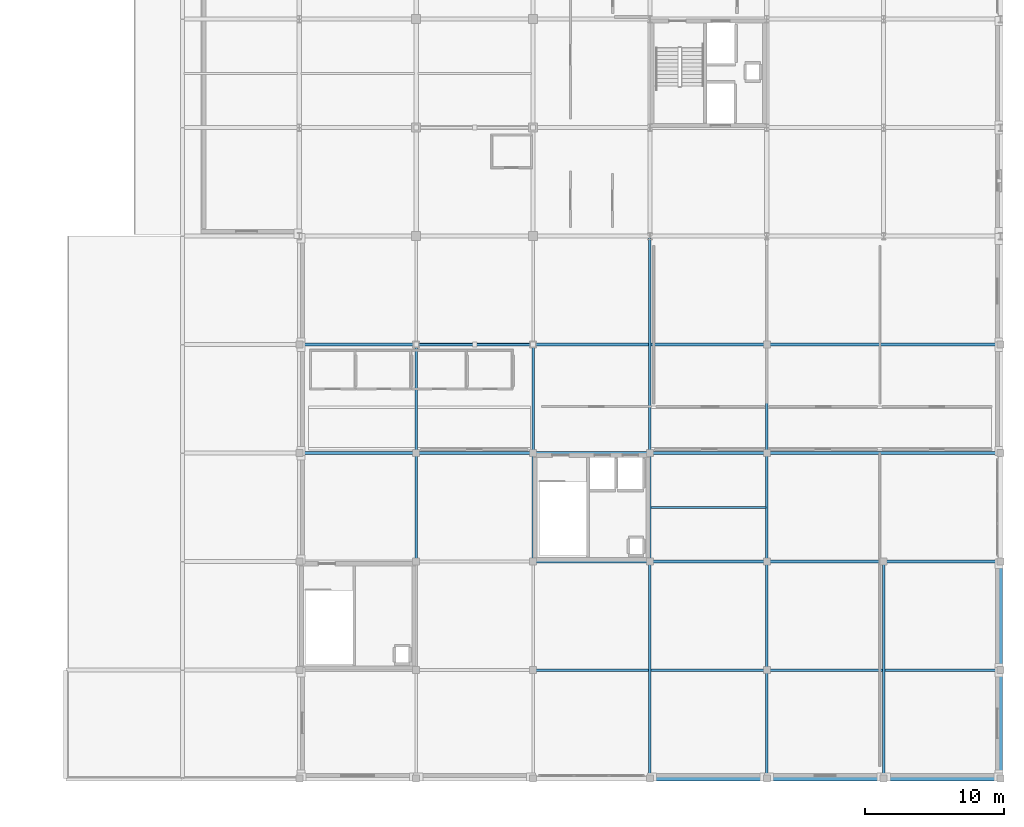
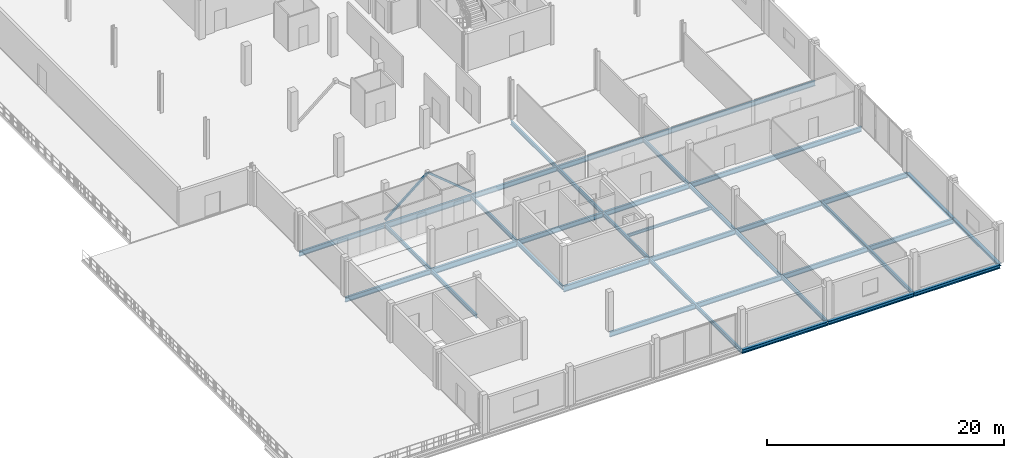
# One storey, part 11 of 41: 33 beams, 2 members.
"""IFC4 building model written with IfcOpenShell, lengths in metres."""

from ifc_helpers import new_model, si_unit, direction, frame, origin, origin_2d, place, context, subcontext, project, spatial, hollow_rectangle, i_section, extrude, material, material_profile, profile_set, type_object, element, save


model = new_model("IFC4")

# Units and contexts
model_context = context("Model", 3, precision=1e-05, world=origin(), true_north=direction((0.0, 1.0)))
body_context = subcontext(model_context, "Body", "Model", "MODEL_VIEW")
ifc_project = project(units=[si_unit("LENGTHUNIT", "METRE"), si_unit("AREAUNIT", "SQUARE_METRE"), si_unit("VOLUMEUNIT", "CUBIC_METRE"), si_unit("PLANEANGLEUNIT", "RADIAN"), si_unit("MASSUNIT", "GRAM", prefix="KILO")], contexts=[model_context])

# Site, building, storey
site_placement = place(None, origin())
site = spatial("IfcSite", under=ifc_project, at=site_placement, CompositionType="ELEMENT")
building_placement = place(site_placement, origin())
building = spatial("IfcBuilding", under=site, at=building_placement, Name="Nabrawat Pavilion Hospital", CompositionType="ELEMENT")
storey_placement = place(building_placement, frame((0.0, 0.0, 18.89990234375)))
storey = spatial("IfcBuildingStorey", under=building, at=storey_placement, Name="L04", CompositionType="ELEMENT", Elevation=18.89990234375)

# Beams
ifc_material = material(Name="Steel S355", Category="steel")
ifc_material_profile_1 = material_profile(ifc_material, i_section(OverallWidth=0.300048828125, OverallDepth=0.389892578125, WebThickness=0.010986328125, FlangeThickness=0.01904296875, FilletRadius=0.027099609375, at=origin_2d()), Name="HEA 400")
ifc_profile_set_1 = profile_set([ifc_material_profile_1], Name="Steel S355")
beam_type_1 = type_object("IfcBeamType", Name="Perimeter Moment Spandrel Beam HEA 400", PredefinedType="SPANDREL", material=ifc_profile_set_1)
beam_1_placement = place(storey_placement, frame((168.02001953125, 0.0, -0.4248046875), z_axis=(1.0, 0.0, 0.0), x_axis=(0.0, 1.0, 0.0)))
element("IfcBeam", 1, at=beam_1_placement, inside=storey, type_object=beam_type_1, Name="L04 Primary X Girder 1758", PredefinedType="SPANDREL", context=body_context, shape_type="SweptSolid", body=[
    extrude(i_section(OverallWidth=0.300048828125, OverallDepth=0.389892578125, WebThickness=0.010986328125, FlangeThickness=0.01904296875, FilletRadius=0.027099609375, at=origin_2d()), origin(), (0.0, 0.0, 1.0), 8.35986328125),
])
beam_2_placement = place(storey_placement, frame((176.419921875, 0.0, -0.4248046875), z_axis=(1.0, 0.0, 0.0), x_axis=(0.0, 1.0, 0.0)))
element("IfcBeam", 2, at=beam_2_placement, inside=storey, type_object=beam_type_1, Name="L04 Primary X Girder 1759", PredefinedType="SPANDREL", context=body_context, shape_type="SweptSolid", body=[
    extrude(i_section(OverallWidth=0.300048828125, OverallDepth=0.389892578125, WebThickness=0.010986328125, FlangeThickness=0.01904296875, FilletRadius=0.027099609375, at=origin_2d()), origin(), (0.0, 0.0, 1.0), 8.360107421875),
])
beam_3_placement = place(storey_placement, frame((184.820068359375, 0.0, -0.4248046875), z_axis=(1.0, 0.0, 0.0), x_axis=(0.0, 1.0, 0.0)))
element("IfcBeam", 3, at=beam_3_placement, inside=storey, type_object=beam_type_1, Name="L04 Primary X Girder 1760", PredefinedType="SPANDREL", context=body_context, shape_type="SweptSolid", body=[
    extrude(i_section(OverallWidth=0.300048828125, OverallDepth=0.389892578125, WebThickness=0.010986328125, FlangeThickness=0.01904296875, FilletRadius=0.027099609375, at=origin_2d()), origin(), (0.0, 0.0, 1.0), 8.35986328125),
])
ifc_material_profile_2 = material_profile(ifc_material, i_section(OverallWidth=0.199951171875, OverallDepth=0.5, WebThickness=0.01025390625, FlangeThickness=0.01611328125, FilletRadius=0.02099609375, at=origin_2d()), Name="IPE 500")
ifc_profile_set_2 = profile_set([ifc_material_profile_2], Name="Steel S355")
beam_type_2 = type_object("IfcBeamType", Name="Standard X Floor Girder IPE 500", PredefinedType="USERDEFINED", material=ifc_profile_set_2)
beam_4_placement = place(storey_placement, frame((159.6201171875, 7.800048828125, -0.47998046875), z_axis=(1.0, 0.0, 0.0), x_axis=(0.0, 1.0, 0.0)))
element("IfcBeam", 4, at=beam_4_placement, inside=storey, type_object=beam_type_2, Name="L04 Primary X Girder 1765", ObjectType="GIRDER", PredefinedType="USERDEFINED", context=body_context, shape_type="SweptSolid", body=[
    extrude(i_section(OverallWidth=0.199951171875, OverallDepth=0.5, WebThickness=0.01025390625, FlangeThickness=0.01611328125, FilletRadius=0.02099609375, at=origin_2d()), origin(), (0.0, 0.0, 1.0), 16.759765625),
])
beam_5_placement = place(storey_placement, frame((176.419921875, 7.800048828125, -0.47998046875), z_axis=(1.0, 0.0, 0.0), x_axis=(0.0, 1.0, 0.0)))
element("IfcBeam", 5, at=beam_5_placement, inside=storey, type_object=beam_type_2, Name="L04 Primary X Girder 1766", ObjectType="GIRDER", PredefinedType="USERDEFINED", context=body_context, shape_type="SweptSolid", body=[
    extrude(i_section(OverallWidth=0.199951171875, OverallDepth=0.5, WebThickness=0.01025390625, FlangeThickness=0.01611328125, FilletRadius=0.02099609375, at=origin_2d()), origin(), (0.0, 0.0, 1.0), 16.760009765625),
])
beam_6_placement = place(storey_placement, frame((168.02001953125, 15.60009765625, -0.47998046875), z_axis=(1.0, 0.0, 0.0), x_axis=(0.0, 1.0, 0.0)))
element("IfcBeam", 6, at=beam_6_placement, inside=storey, type_object=beam_type_2, Name="L04 Primary X Girder 1771", ObjectType="GIRDER", PredefinedType="USERDEFINED", context=body_context, shape_type="SweptSolid", body=[
    extrude(i_section(OverallWidth=0.199951171875, OverallDepth=0.5, WebThickness=0.01025390625, FlangeThickness=0.01611328125, FilletRadius=0.02099609375, at=origin_2d()), origin(), (0.0, 0.0, 1.0), 8.35986328125),
])
beam_7_placement = place(storey_placement, frame((176.419921875, 15.60009765625, -0.47998046875), z_axis=(1.0, 0.0, 0.0), x_axis=(0.0, 1.0, 0.0)))
element("IfcBeam", 7, at=beam_7_placement, inside=storey, type_object=beam_type_2, Name="L04 Primary X Girder 1772", ObjectType="GIRDER", PredefinedType="USERDEFINED", context=body_context, shape_type="SweptSolid", body=[
    extrude(i_section(OverallWidth=0.199951171875, OverallDepth=0.5, WebThickness=0.01025390625, FlangeThickness=0.01611328125, FilletRadius=0.02099609375, at=origin_2d()), origin(), (0.0, 0.0, 1.0), 8.360107421875),
])
for number, where, z_axis, x_axis, name in (
    (8, (184.820068359375, 15.60009765625, -0.47998046875), (1.0, 0.0, 0.0), (0.0, 1.0, 0.0), "L04 Primary X Girder 1773"),
    (9, (142.820068359375, 23.39990234375, -0.47998046875), (1.0, 0.0, 0.0), (0.0, 1.0, 0.0), "L04 Primary X Girder 1775"),
    (10, (159.6201171875, 23.39990234375, -0.47998046875), (1.0, 0.0, 0.0), (0.0, 1.0, 0.0), "L04 Primary X Girder 1777"),
    (11, (168.02001953125, 23.39990234375, -0.47998046875), (1.0, 0.0, 0.0), (0.0, 1.0, 0.0), "L04 Primary X Girder 1778"),
):
    element("IfcBeam", number, at=place(storey_placement, frame(where, z_axis=z_axis, x_axis=x_axis)), inside=storey, type_object=beam_type_2, Name=name, ObjectType="GIRDER", PredefinedType="USERDEFINED", context=body_context, shape_type="SweptSolid", body=[
        extrude(i_section(OverallWidth=0.199951171875, OverallDepth=0.5, WebThickness=0.01025390625, FlangeThickness=0.01611328125, FilletRadius=0.02099609375, at=origin_2d()), origin(), (0.0, 0.0, 1.0), 8.35986328125),
    ])
beam_8_placement = place(storey_placement, frame((176.419921875, 23.39990234375, -0.47998046875), z_axis=(1.0, 0.0, 0.0), x_axis=(0.0, 1.0, 0.0)))
element("IfcBeam", 12, at=beam_8_placement, inside=storey, type_object=beam_type_2, Name="L04 Primary X Girder 1779", ObjectType="GIRDER", PredefinedType="USERDEFINED", context=body_context, shape_type="SweptSolid", body=[
    extrude(i_section(OverallWidth=0.199951171875, OverallDepth=0.5, WebThickness=0.01025390625, FlangeThickness=0.01611328125, FilletRadius=0.02099609375, at=origin_2d()), origin(), (0.0, 0.0, 1.0), 16.760009765625),
])
beam_9_placement = place(storey_placement, frame((142.820068359375, 31.199951171875, -0.47998046875), z_axis=(1.0, 0.0, 0.0), x_axis=(0.0, 1.0, 0.0)))
element("IfcBeam", 13, at=beam_9_placement, inside=storey, type_object=beam_type_2, Name="L04 Primary X Girder 1781", ObjectType="GIRDER", PredefinedType="USERDEFINED", context=body_context, shape_type="SweptSolid", body=[
    extrude(i_section(OverallWidth=0.199951171875, OverallDepth=0.5, WebThickness=0.01025390625, FlangeThickness=0.01611328125, FilletRadius=0.02099609375, at=origin_2d()), origin(), (0.0, 0.0, 1.0), 8.35986328125),
])
beam_10_placement = place(storey_placement, frame((159.6201171875, 31.199951171875, -0.47998046875), z_axis=(1.0, 0.0, 0.0), x_axis=(0.0, 1.0, 0.0)))
element("IfcBeam", 14, at=beam_10_placement, inside=storey, type_object=beam_type_2, Name="L04 Primary X Girder 1783", ObjectType="GIRDER", PredefinedType="USERDEFINED", context=body_context, shape_type="SweptSolid", body=[
    extrude(i_section(OverallWidth=0.199951171875, OverallDepth=0.5, WebThickness=0.01025390625, FlangeThickness=0.01611328125, FilletRadius=0.02099609375, at=origin_2d()), origin(), (0.0, 0.0, 1.0), 16.759765625),
])
beam_11_placement = place(storey_placement, frame((176.419921875, 31.199951171875, -0.47998046875), z_axis=(1.0, 0.0, 0.0), x_axis=(0.0, 1.0, 0.0)))
element("IfcBeam", 15, at=beam_11_placement, inside=storey, type_object=beam_type_2, Name="L04 Primary X Girder 1784", ObjectType="GIRDER", PredefinedType="USERDEFINED", context=body_context, shape_type="SweptSolid", body=[
    extrude(i_section(OverallWidth=0.199951171875, OverallDepth=0.5, WebThickness=0.01025390625, FlangeThickness=0.01611328125, FilletRadius=0.02099609375, at=origin_2d()), origin(), (0.0, 0.0, 1.0), 16.760009765625),
])
ifc_material_profile_3 = material_profile(ifc_material, i_section(OverallWidth=0.179931640625, OverallDepth=0.39990234375, WebThickness=0.008544921875, FlangeThickness=0.013427734375, FilletRadius=0.02099609375, at=origin_2d()), Name="IPE 400")
ifc_profile_set_3 = profile_set([ifc_material_profile_3], Name="Steel S355")
beam_type_3 = type_object("IfcBeamType", Name="Standard Y Floor Beam IPE 400", PredefinedType="BEAM", material=ifc_profile_set_3)
beam_12_placement = place(storey_placement, frame((151.199951171875, 15.6201171875, -0.429931640625), z_axis=(0.0, 1.0, 0.0), x_axis=(-1.0, 0.0, 0.0)))
element("IfcBeam", 16, at=beam_12_placement, inside=storey, type_object=beam_type_3, Name="L04 Primary Y Beam 1897", PredefinedType="BEAM", context=body_context, shape_type="SweptSolid", body=[
    extrude(i_section(OverallWidth=0.179931640625, OverallDepth=0.39990234375, WebThickness=0.008544921875, FlangeThickness=0.013427734375, FilletRadius=0.02099609375, at=origin_2d()), origin(), (0.0, 0.0, 1.0), 7.759765625),
])
beam_13_placement = place(storey_placement, frame((151.199951171875, 23.419921875, -0.429931640625), z_axis=(0.0, 1.0, 0.0), x_axis=(-1.0, 0.0, 0.0)))
element("IfcBeam", 17, at=beam_13_placement, inside=storey, type_object=beam_type_3, Name="L04 Primary Y Beam 1898", PredefinedType="BEAM", context=body_context, shape_type="SweptSolid", body=[
    extrude(i_section(OverallWidth=0.179931640625, OverallDepth=0.39990234375, WebThickness=0.008544921875, FlangeThickness=0.013427734375, FilletRadius=0.02099609375, at=origin_2d()), origin(), (0.0, 0.0, 1.0), 7.760009765625),
])
beam_14_placement = place(storey_placement, frame((159.60009765625, 15.6201171875, -0.429931640625), z_axis=(0.0, 1.0, 0.0), x_axis=(-1.0, 0.0, 0.0)))
element("IfcBeam", 18, at=beam_14_placement, inside=storey, type_object=beam_type_3, Name="L04 Primary Y Beam 1913", PredefinedType="BEAM", context=body_context, shape_type="SweptSolid", body=[
    extrude(i_section(OverallWidth=0.179931640625, OverallDepth=0.39990234375, WebThickness=0.008544921875, FlangeThickness=0.013427734375, FilletRadius=0.02099609375, at=origin_2d()), origin(), (0.0, 0.0, 1.0), 7.759765625),
])
beam_15_placement = place(storey_placement, frame((159.60009765625, 23.419921875, -0.429931640625), z_axis=(0.0, 1.0, 0.0), x_axis=(-1.0, 0.0, 0.0)))
element("IfcBeam", 19, at=beam_15_placement, inside=storey, type_object=beam_type_3, Name="L04 Primary Y Beam 1914", PredefinedType="BEAM", context=body_context, shape_type="SweptSolid", body=[
    extrude(i_section(OverallWidth=0.179931640625, OverallDepth=0.39990234375, WebThickness=0.008544921875, FlangeThickness=0.013427734375, FilletRadius=0.02099609375, at=origin_2d()), origin(), (0.0, 0.0, 1.0), 7.760009765625),
])
beam_16_placement = place(storey_placement, frame((168.0, 0.02001953125, -0.429931640625), z_axis=(0.0, 1.0, 0.0), x_axis=(-1.0, 0.0, 0.0)))
element("IfcBeam", 20, at=beam_16_placement, inside=storey, type_object=beam_type_3, Name="L04 Primary Y Beam 1927", PredefinedType="BEAM", context=body_context, shape_type="SweptSolid", body=[
    extrude(i_section(OverallWidth=0.179931640625, OverallDepth=0.39990234375, WebThickness=0.008544921875, FlangeThickness=0.013427734375, FilletRadius=0.02099609375, at=origin_2d()), origin(), (0.0, 0.0, 1.0), 15.56005859375),
])
beam_17_placement = place(storey_placement, frame((168.0, 15.6201171875, -0.429931640625), z_axis=(0.0, 1.0, 0.0), x_axis=(-1.0, 0.0, 0.0)))
element("IfcBeam", 21, at=beam_17_placement, inside=storey, type_object=beam_type_3, Name="L04 Primary Y Beam 1928", PredefinedType="BEAM", context=body_context, shape_type="SweptSolid", body=[
    extrude(i_section(OverallWidth=0.179931640625, OverallDepth=0.39990234375, WebThickness=0.008544921875, FlangeThickness=0.013427734375, FilletRadius=0.02099609375, at=origin_2d()), origin(), (0.0, 0.0, 1.0), 7.759765625),
])
beam_18_placement = place(storey_placement, frame((168.0, 23.419921875, -0.429931640625), z_axis=(0.0, 1.0, 0.0), x_axis=(-1.0, 0.0, 0.0)))
element("IfcBeam", 22, at=beam_18_placement, inside=storey, type_object=beam_type_3, Name="L04 Primary Y Beam 1929", PredefinedType="BEAM", context=body_context, shape_type="SweptSolid", body=[
    extrude(i_section(OverallWidth=0.179931640625, OverallDepth=0.39990234375, WebThickness=0.008544921875, FlangeThickness=0.013427734375, FilletRadius=0.02099609375, at=origin_2d()), origin(), (0.0, 0.0, 1.0), 15.56005859375),
])
for number, where, z_axis, x_axis, name in (
    (23, (176.39990234375, 0.02001953125, -0.429931640625), (0.0, 1.0, 0.0), (-1.0, 0.0, 0.0), "L04 Primary Y Beam 1936"),
    (24, (176.39990234375, 7.820068359375, -0.429931640625), (0.0, 1.0, 0.0), (-1.0, 0.0, 0.0), "L04 Primary Y Beam 1937"),
):
    element("IfcBeam", number, at=place(storey_placement, frame(where, z_axis=z_axis, x_axis=x_axis)), inside=storey, type_object=beam_type_3, Name=name, PredefinedType="BEAM", context=body_context, shape_type="SweptSolid", body=[
        extrude(i_section(OverallWidth=0.179931640625, OverallDepth=0.39990234375, WebThickness=0.008544921875, FlangeThickness=0.013427734375, FilletRadius=0.02099609375, at=origin_2d()), origin(), (0.0, 0.0, 1.0), 7.760009765625),
    ])
beam_19_placement = place(storey_placement, frame((176.39990234375, 15.6201171875, -0.429931640625), z_axis=(0.0, 1.0, 0.0), x_axis=(-1.0, 0.0, 0.0)))
element("IfcBeam", 25, at=beam_19_placement, inside=storey, type_object=beam_type_3, Name="L04 Primary Y Beam 1938", PredefinedType="BEAM", context=body_context, shape_type="SweptSolid", body=[
    extrude(i_section(OverallWidth=0.179931640625, OverallDepth=0.39990234375, WebThickness=0.008544921875, FlangeThickness=0.013427734375, FilletRadius=0.02099609375, at=origin_2d()), origin(), (0.0, 0.0, 1.0), 7.759765625),
])
beam_20_placement = place(storey_placement, frame((176.39990234375, 23.419921875, -0.429931640625), z_axis=(0.0, 1.0, 0.0), x_axis=(-1.0, 0.0, 0.0)))
element("IfcBeam", 26, at=beam_20_placement, inside=storey, type_object=beam_type_3, Name="L04 Primary Y Beam 1939", PredefinedType="BEAM", context=body_context, shape_type="SweptSolid", body=[
    extrude(i_section(OverallWidth=0.179931640625, OverallDepth=0.39990234375, WebThickness=0.008544921875, FlangeThickness=0.013427734375, FilletRadius=0.02099609375, at=origin_2d()), origin(), (0.0, 0.0, 1.0), 7.760009765625),
])
beam_21_placement = place(storey_placement, frame((184.800048828125, 0.02001953125, -0.429931640625), z_axis=(0.0, 1.0, 0.0), x_axis=(-1.0, 0.0, 0.0)))
element("IfcBeam", 27, at=beam_21_placement, inside=storey, type_object=beam_type_3, Name="L04 Primary Y Beam 1952", PredefinedType="BEAM", context=body_context, shape_type="SweptSolid", body=[
    extrude(i_section(OverallWidth=0.179931640625, OverallDepth=0.39990234375, WebThickness=0.008544921875, FlangeThickness=0.013427734375, FilletRadius=0.02099609375, at=origin_2d()), origin(), (0.0, 0.0, 1.0), 15.56005859375),
])

# Members
ifc_material_profile_4 = material_profile(ifc_material, hollow_rectangle(XDim=0.179931640625, YDim=0.179931640625, WallThickness=0.010009765625, at=origin_2d()), Name="SHS 180x180x10")
ifc_profile_set_4 = profile_set([ifc_material_profile_4], Name="Steel S355")
member_type = type_object("IfcMemberType", Name="Upper Seismic Chevron Brace SHS 180x180x10", PredefinedType="BRACE", material=ifc_profile_set_4)
for number, where, z_axis, x_axis, name in (
    (28, (151.199951171875, 31.199951171875, 0.050048828125), (0.772727041362, 0.0, 0.63473846547), (0.0, 1.0, 0.0), "L04 Seismic Concentric Chevron Brace 045"),
    (29, (159.60009765625, 31.199951171875, 0.050048828125), (-0.772745137627, 0.0, 0.634716434539), (0.0, -1.0, 0.0), "L04 Seismic Concentric Chevron Brace 046"),
):
    element("IfcMember", number, at=place(storey_placement, frame(where, z_axis=z_axis, x_axis=x_axis)), inside=storey, type_object=member_type, Name=name, PredefinedType="BRACE", context=body_context, shape_type="SweptSolid", body=[
        extrude(hollow_rectangle(XDim=0.179931640625, YDim=0.179931640625, WallThickness=0.010009765625, at=origin_2d()), origin(), (0.0, 0.0, 1.0), 5.435302734375),
    ])

# Beams
ifc_material_profile_5 = material_profile(ifc_material, i_section(OverallWidth=0.280029296875, OverallDepth=0.280029296875, WebThickness=0.010498046875, FlangeThickness=0.01806640625, FilletRadius=0.02392578125, at=origin_2d()), Name="HEB 280")
ifc_profile_set_5 = profile_set([ifc_material_profile_5], Name="Steel S355")
beam_type_4 = type_object("IfcBeamType", Name="Upper Terrace Edge Spandrel HEB 280", PredefinedType="SPANDREL", material=ifc_profile_set_5)
for number, where, z_axis, x_axis, name in (
    (30, (193.199951171875, 0.02001953125, -0.369873046875), (0.0, 1.0, 0.0), (-1.0, 0.0, 0.0), "L04 Primary Y Beam 1960"),
    (31, (193.199951171875, 7.820068359375, -0.369873046875), (0.0, 1.0, 0.0), (-1.0, 0.0, 0.0), "L04 Primary Y Beam 1961"),
):
    element("IfcBeam", number, at=place(storey_placement, frame(where, z_axis=z_axis, x_axis=x_axis)), inside=storey, type_object=beam_type_4, Name=name, PredefinedType="SPANDREL", context=body_context, shape_type="SweptSolid", body=[
        extrude(i_section(OverallWidth=0.280029296875, OverallDepth=0.280029296875, WebThickness=0.010498046875, FlangeThickness=0.01806640625, FilletRadius=0.02392578125, at=origin_2d()), origin(), (0.0, 0.0, 1.0), 7.760009765625),
    ])
ifc_material_profile_6 = material_profile(ifc_material, i_section(OverallWidth=0.14990234375, OverallDepth=0.300048828125, WebThickness=0.007080078125, FlangeThickness=0.0107421875, FilletRadius=0.014892578125, at=origin_2d()), Name="IPE 300")
ifc_profile_set_6 = profile_set([ifc_material_profile_6], Name="Steel S355")
beam_type_5 = type_object("IfcBeamType", Name="Ward Secondary Floor Joist IPE 300", PredefinedType="JOIST", material=ifc_profile_set_6)
beam_22_placement = place(storey_placement, frame((168.06494140625, 19.5, -0.3798828125), z_axis=(1.0, 0.0, 0.0), x_axis=(0.0, 1.0, 0.0)))
element("IfcBeam", 32, at=beam_22_placement, inside=storey, type_object=beam_type_5, Name="L04 Secondary Composite Floor Joist 1982", PredefinedType="JOIST", context=body_context, shape_type="SweptSolid", body=[
    extrude(i_section(OverallWidth=0.14990234375, OverallDepth=0.300048828125, WebThickness=0.007080078125, FlangeThickness=0.0107421875, FilletRadius=0.014892578125, at=origin_2d()), origin(), (0.0, 0.0, 1.0), 8.27001953125),
])
ifc_material_profile_7 = material_profile(ifc_material, i_section(OverallWidth=0.219970703125, OverallDepth=0.60009765625, WebThickness=0.011962890625, FlangeThickness=0.01904296875, FilletRadius=0.02392578125, at=origin_2d()), Name="IPE 600")
ifc_profile_set_7 = profile_set([ifc_material_profile_7], Name="Steel S355")
beam_type_6 = type_object("IfcBeamType", Name="Wide-Bay Floor Girder IPE 600", PredefinedType="USERDEFINED", material=ifc_profile_set_7)
beam_23_placement = place(storey_placement, frame((159.6201171875, 15.60009765625, -0.52978515625), z_axis=(1.0, 0.0, 0.0), x_axis=(0.0, 1.0, 0.0)))
element("IfcBeam", 33, at=beam_23_placement, inside=storey, type_object=beam_type_6, Name="L04 Primary X Girder 1770", ObjectType="GIRDER", PredefinedType="USERDEFINED", context=body_context, shape_type="SweptSolid", body=[
    extrude(i_section(OverallWidth=0.219970703125, OverallDepth=0.60009765625, WebThickness=0.011962890625, FlangeThickness=0.01904296875, FilletRadius=0.02392578125, at=origin_2d()), origin(), (0.0, 0.0, 1.0), 8.35986328125),
])
for number, where, z_axis, x_axis, name in (
    (34, (151.219970703125, 23.39990234375, -0.52978515625), (1.0, 0.0, 0.0), (0.0, 1.0, 0.0), "L04 Primary X Girder 1776"),
    (35, (151.219970703125, 31.199951171875, -0.52978515625), (1.0, 0.0, 0.0), (0.0, 1.0, 0.0), "L04 Primary X Girder 1782"),
):
    element("IfcBeam", number, at=place(storey_placement, frame(where, z_axis=z_axis, x_axis=x_axis)), inside=storey, type_object=beam_type_6, Name=name, ObjectType="GIRDER", PredefinedType="USERDEFINED", context=body_context, shape_type="SweptSolid", body=[
        extrude(i_section(OverallWidth=0.219970703125, OverallDepth=0.60009765625, WebThickness=0.011962890625, FlangeThickness=0.01904296875, FilletRadius=0.02392578125, at=origin_2d()), origin(), (0.0, 0.0, 1.0), 8.360107421875),
    ])

save(model, "model.ifc")
